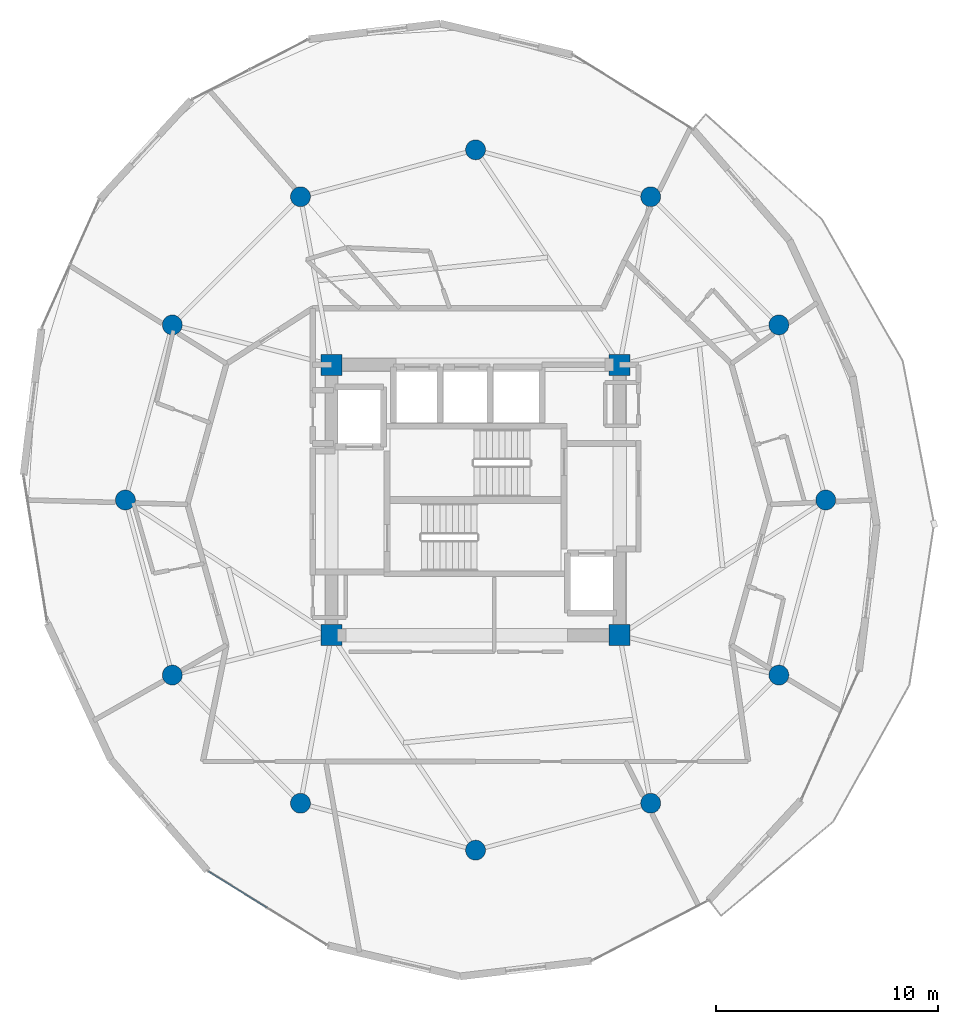
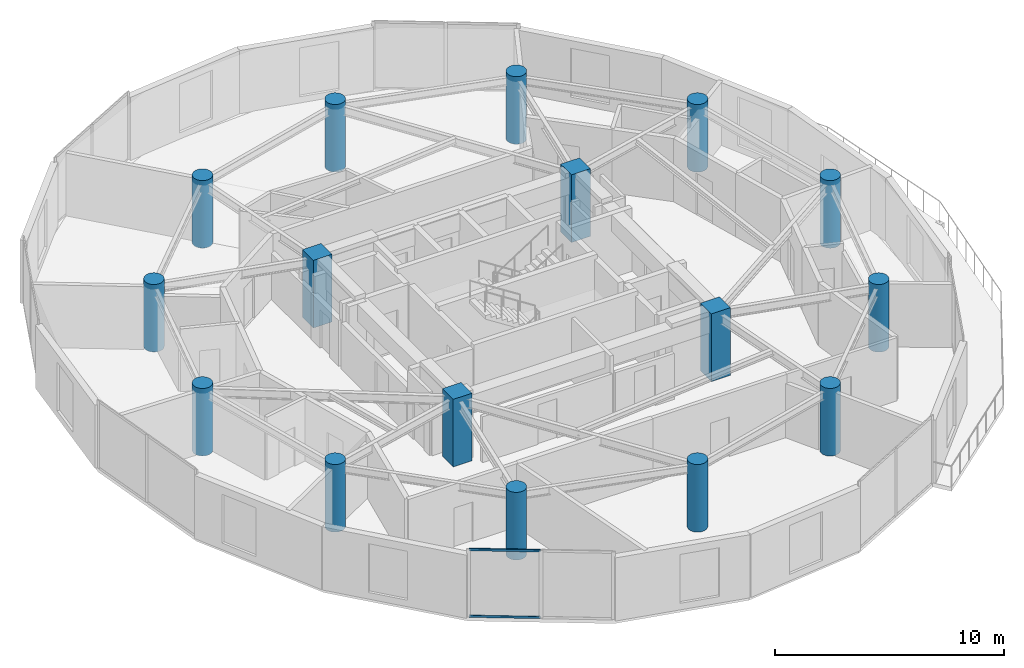
# One storey, part 1 of 22: 16 columns, 2 members, 1 element without a shape of its own.
"""IFC4 building model written with IfcOpenShell, lengths in metres."""

from ifc_helpers import new_model, si_unit, direction, frame, origin, origin_2d, place, context, subcontext, project, spatial, rectangle, hollow_rectangle, circle, extrude, source, transform, mapped, material, layer, layer_set, material_profile, profile_set, type_object, element, aggregate, save


model = new_model("IFC4")

# Units and contexts
model_context = context("Model", 3, precision=1e-05, world=origin(), true_north=direction((0.0, 1.0)))
body_context = subcontext(model_context, "Body", "Model", "MODEL_VIEW")
ifc_project = project(units=[si_unit("LENGTHUNIT", "METRE"), si_unit("AREAUNIT", "SQUARE_METRE"), si_unit("VOLUMEUNIT", "CUBIC_METRE"), si_unit("PLANEANGLEUNIT", "RADIAN"), si_unit("MASSUNIT", "GRAM", prefix="KILO")], contexts=[model_context])

# Site, building, storey
site_placement = place(None, origin())
site = spatial("IfcSite", under=ifc_project, at=site_placement, CompositionType="ELEMENT")
building_placement = place(site_placement, origin())
building = spatial("IfcBuilding", under=site, at=building_placement, Name="Solvirekh Grand Hotel", CompositionType="ELEMENT")
storey_placement = place(building_placement, frame((0.0, 0.0, 227.199951171875)))
storey = spatial("IfcBuildingStorey", under=building, at=storey_placement, Name="L59", CompositionType="ELEMENT", Elevation=227.199951171875)

# Columns
ifc_material_1 = material(Name="Concrete C50/60", Category="concrete")
ifc_material_profile_1 = material_profile(ifc_material_1, rectangle(XDim=0.949951171875, YDim=0.949951171875, at=origin_2d()), Name="RC 950X950")
ifc_profile_set_1 = profile_set([ifc_material_profile_1], Name="Concrete C50/60")
column_type_1 = type_object("IfcColumnType", Name="Col_Core_950", PredefinedType="COLUMN", material=ifc_profile_set_1)
for number, where, z_axis, x_axis, name in (
    (1, (-6.5, -6.10009765625, 0.0), (0.0, 0.0, 1.0), (1.0, 0.0, 0.0), "L59 core corner column CC1"),
    (2, (6.5, -6.10009765625, 0.0), (0.0, 0.0, 1.0), (1.0, 0.0, 0.0), "L59 core corner column CC2"),
    (3, (6.5, 6.10009765625, 0.0), (0.0, 0.0, 1.0), (1.0, 0.0, 0.0), "L59 core corner column CC3"),
    (4, (-6.5, 6.10009765625, 0.0), (0.0, 0.0, 1.0), (1.0, 0.0, 0.0), "L59 core corner column CC4"),
):
    element("IfcColumn", number, at=place(storey_placement, frame(where, z_axis=z_axis, x_axis=x_axis)), inside=storey, type_object=column_type_1, Name=name, PredefinedType="COLUMN", context=body_context, shape_type="SweptSolid", body=[
        extrude(rectangle(XDim=0.949951171875, YDim=0.949951171875, at=origin_2d()), origin(), (0.0, 0.0, 1.0), 3.60009765625),
    ])
ifc_material_profile_2 = material_profile(ifc_material_1, circle(Radius=0.449951171875, at=origin_2d()), Name="RC CIRC D900")
ifc_profile_set_2 = profile_set([ifc_material_profile_2], Name="Concrete C50/60")
column_type_2 = type_object("IfcColumnType", Name="Col_Z3_D900", PredefinedType="COLUMN", material=ifc_profile_set_2)
for number, where, z_axis, x_axis, name in (
    (5, (15.800048828125, 0.0, 0.0), (0.0, 0.0, 1.0), (1.0, 0.0, 0.0), "L59 perimeter column P01"),
    (6, (13.68310546875, 7.89990234375, 0.0), (0.0, 0.0, 1.0), (1.0, 0.0, 0.0), "L59 perimeter column P02"),
    (7, (7.89990234375, 13.68310546875, 0.0), (0.0, 0.0, 1.0), (1.0, 0.0, 0.0), "L59 perimeter column P03"),
    (8, (0.0, 15.800048828125, 0.0), (0.0, 0.0, 1.0), (1.0, 0.0, 0.0), "L59 perimeter column P04"),
    (9, (-7.89990234375, 13.68310546875, 0.0), (0.0, 0.0, 1.0), (1.0, 0.0, 0.0), "L59 perimeter column P05"),
    (10, (-13.68310546875, 7.89990234375, 0.0), (0.0, 0.0, 1.0), (1.0, 0.0, 0.0), "L59 perimeter column P06"),
    (11, (-15.800048828125, 0.0, 0.0), (0.0, 0.0, 1.0), (1.0, 0.0, 0.0), "L59 perimeter column P07"),
    (12, (-13.68310546875, -7.89990234375, 0.0), (0.0, 0.0, 1.0), (1.0, 0.0, 0.0), "L59 perimeter column P08"),
    (13, (-7.89990234375, -13.68310546875, 0.0), (0.0, 0.0, 1.0), (1.0, 0.0, 0.0), "L59 perimeter column P09"),
    (14, (0.0, -15.800048828125, 0.0), (0.0, 0.0, 1.0), (1.0, 0.0, 0.0), "L59 perimeter column P10"),
    (15, (7.89990234375, -13.68310546875, 0.0), (0.0, 0.0, 1.0), (1.0, 0.0, 0.0), "L59 perimeter column P11"),
    (16, (13.68310546875, -7.89990234375, 0.0), (0.0, 0.0, 1.0), (1.0, 0.0, 0.0), "L59 perimeter column P12"),
):
    element("IfcColumn", number, at=place(storey_placement, frame(where, z_axis=z_axis, x_axis=x_axis)), inside=storey, type_object=column_type_2, Name=name, PredefinedType="COLUMN", context=body_context, shape_type="SweptSolid", body=[
        extrude(circle(Radius=0.449951171875, at=origin_2d()), origin(), (0.0, 0.0, 1.0), 3.60009765625),
    ])

# Curtain wall, members
ifc_material_2 = material(Name="Anodized Bronze Aluminium 6063-T6", Category="aluminium")
ifc_layer = layer(ifc_material_2, 0.159912109375)
ifc_layer_set = layer_set([ifc_layer], Name="Anodized Bronze Aluminium 6063-T6")
curtain_wall_type = type_object("IfcCurtainWallType", Name="CW_Sys4_HighZoneFlushBronzeCW", PredefinedType="NOTDEFINED", material=ifc_layer_set)
curtain_wall_placement = place(storey_placement, origin())
curtain_wall = element("IfcCurtainWall", 17, at=curtain_wall_placement, inside=storey, type_object=curtain_wall_type, Name="L59 unitised bronze-glass curtain wall CW-L59-C18", PredefinedType="NOTDEFINED")
ifc_material_profile_3 = material_profile(ifc_material_2, hollow_rectangle(XDim=0.054931640625, YDim=0.1201171875, WallThickness=0.00390625, at=origin_2d()), Name="ALU RHS 120X55X4")
ifc_profile_set_3 = profile_set([ifc_material_profile_3], Name="Anodized Bronze Aluminium 6063-T6")
member_type = type_object("IfcMemberType", Name="CWTransom_Sys4", PredefinedType="USERDEFINED", material=ifc_profile_set_3)
shared_shape = source(origin(), body_context, "Body", "SweptSolid", [
    extrude(hollow_rectangle(XDim=0.054931640625, YDim=0.1201171875, WallThickness=0.00390625, at=origin_2d()), origin(), (0.0, 0.0, 1.0), 3.104736328125),
])
member_1_placement = place(storey_placement, frame((-12.049072265625, -16.759521484375, 0.027587890625), z_axis=(0.849751926468, -0.52718276097, 0.0), x_axis=(0.52718276097, 0.849751926468, 0.0)))
member_1 = element("IfcMember", 18, at=member_1_placement, type_object=member_type, Name="U04 transom 1.1", ObjectType="TRANSOM", PredefinedType="USERDEFINED", context=body_context, shape_type="MappedRepresentation", body=[
    mapped(shared_shape, transform((0.0, 0.0, 0.0), x_axis=(1.0, 0.0, 0.0), y_axis=(0.0, 1.0, 0.0), z_axis=(0.0, 0.0, 1.0), scale=1.0)),
])
member_2_placement = place(storey_placement, frame((-12.049072265625, -16.759521484375, 3.572509765625), z_axis=(0.849751926468, -0.52718276097, 0.0), x_axis=(0.52718276097, 0.849751926468, 0.0)))
member_2 = element("IfcMember", 19, at=member_2_placement, type_object=member_type, Name="U04 transom 1.2", ObjectType="TRANSOM", PredefinedType="USERDEFINED", context=body_context, shape_type="MappedRepresentation", body=[
    mapped(shared_shape, transform((0.0, 0.0, 0.0), x_axis=(1.0, 0.0, 0.0), y_axis=(0.0, 1.0, 0.0), z_axis=(0.0, 0.0, 1.0), scale=1.0)),
])
aggregate(curtain_wall, [member_1, member_2])

save(model, "model.ifc")
